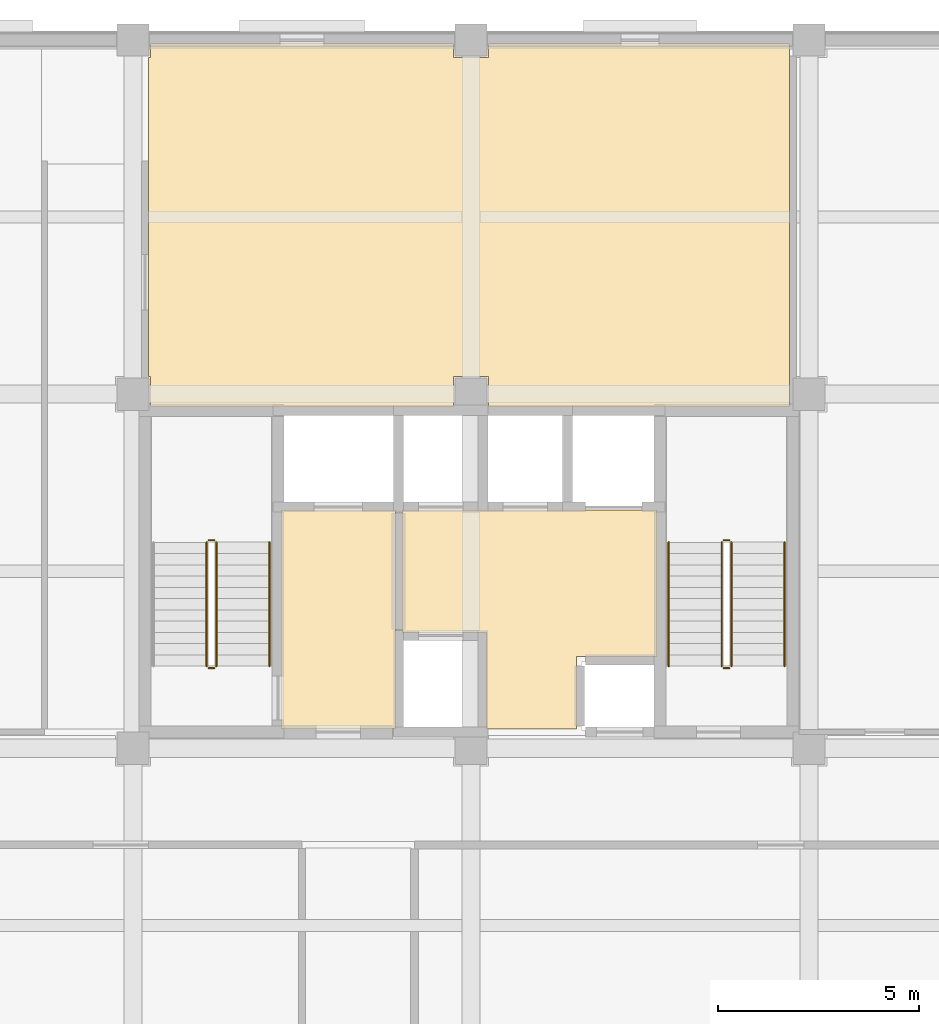
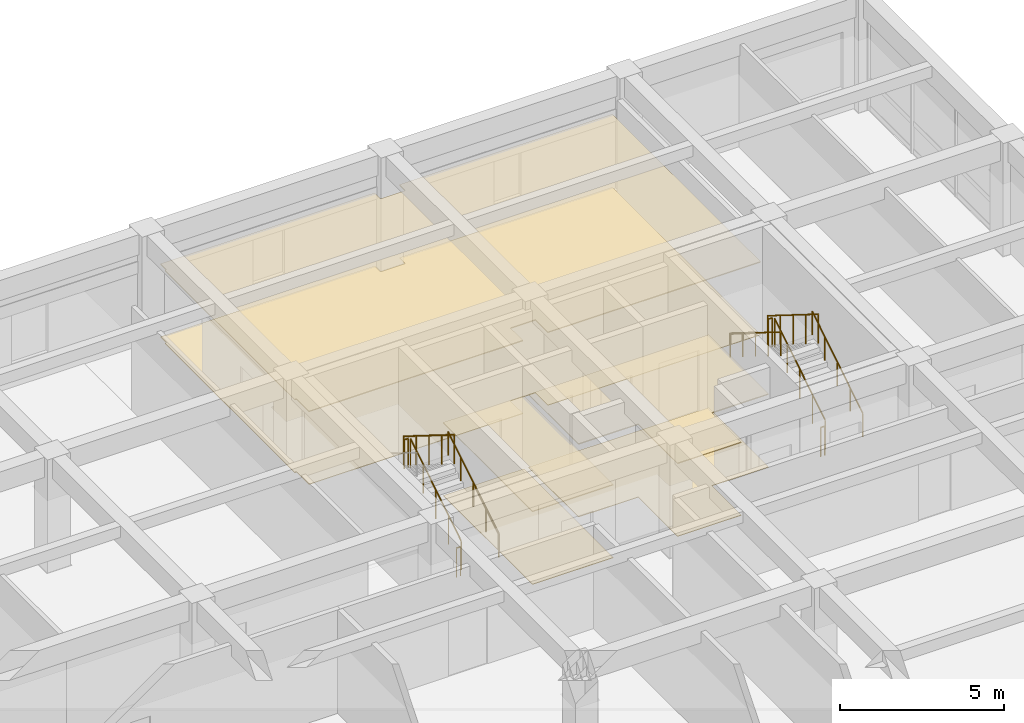
# One storey, part 56 of 57: 11 railings, 6 coverings.
"""IFC4 building model written with IfcOpenShell, lengths in metres."""

from ifc_helpers import new_model, si_unit, direction, frame, origin, origin_2d, place, context, subcontext, project, spatial, polyline, circle, outline, extrude, material, layer, layer_set, type_object, element, save


model = new_model("IFC4")

# Units and contexts
model_context = context("Model", 3, precision=1e-05, world=origin(), true_north=direction((0.0, 1.0)))
body_context = subcontext(model_context, "Body", "Model", "MODEL_VIEW")
ifc_project = project(units=[si_unit("LENGTHUNIT", "METRE"), si_unit("AREAUNIT", "SQUARE_METRE"), si_unit("VOLUMEUNIT", "CUBIC_METRE"), si_unit("PLANEANGLEUNIT", "RADIAN"), si_unit("MASSUNIT", "GRAM", prefix="KILO")], contexts=[model_context])

# Site, building, storey
site_placement = place(None, origin())
site = spatial("IfcSite", under=ifc_project, at=site_placement, CompositionType="ELEMENT")
building_placement = place(site_placement, origin())
building = spatial("IfcBuilding", under=site, at=building_placement, Name="Kemercrest Conservatory and Botanical Centre", CompositionType="ELEMENT")
storey_placement = place(building_placement, frame((0.0, 0.0, 4.800048828125)))
storey = spatial("IfcBuildingStorey", under=building, at=storey_placement, Name="L01", CompositionType="ELEMENT", Elevation=4.800048828125)

# Coverings
ifc_material_1 = material(Name="Perforated acoustic gypsum and mineral-fibre suspended ceiling", Category="gypsum")
ifc_layer_1 = layer(ifc_material_1, 0.034912109375)
ifc_layer_set_1 = layer_set([ifc_layer_1], Name="Perforated acoustic gypsum and mineral-fibre suspended ceiling")
covering_type_1 = type_object("IfcCoveringType", Name="CV-CLG035", PredefinedType="CEILING", material=ifc_layer_set_1)
covering_1_placement = place(storey_placement, frame((0.0, 0.0, 2.699951171875)))
element("IfcCovering", 1, at=covering_1_placement, inside=storey, type_object=covering_type_1, Name="Firefighting Lobby suspended acoustic ceiling", PredefinedType="CEILING", context=body_context, shape_type="SweptSolid", body=[
    extrude(outline(polyline([(154.47998046875, 105.280029296875), (157.320068359375, 105.280029296875), (157.320068359375, 110.719970703125), (154.47998046875, 110.719970703125), (154.47998046875, 105.280029296875)])), origin(), (0.0, 0.0, 1.0), 0.034912109375),
])
covering_2_placement = place(storey_placement, frame((0.0, 0.0, 2.699951171875)))
element("IfcCovering", 2, at=covering_2_placement, inside=storey, type_object=covering_type_1, Name="Tower Lift Lobby suspended acoustic ceiling", PredefinedType="CEILING", context=body_context, shape_type="SweptSolid", body=[
    extrude(outline(polyline([(159.580078125, 107.679931640625), (159.580078125, 105.280029296875), (161.820068359375, 105.280029296875), (161.820068359375, 107.080078125), (163.820068359375, 107.080078125), (163.820068359375, 110.719970703125), (157.47998046875, 110.719970703125), (157.47998046875, 107.679931640625), (159.580078125, 107.679931640625)])), origin(), (0.0, 0.0, 1.0), 0.034912109375),
])
covering_3_placement = place(storey_placement, frame((0.0, 0.0, 2.699951171875)))
element("IfcCovering", 3, at=covering_3_placement, inside=storey, type_object=covering_type_1, Name="Reagent Preparation Laboratory suspended acoustic ceiling", PredefinedType="CEILING", context=body_context, shape_type="SweptSolid", body=[
    extrude(outline(polyline([(159.639892578125, 113.280029296875), (167.1201171875, 113.280029296875), (167.1201171875, 122.320068359375), (159.639892578125, 122.320068359375), (159.639892578125, 121.9599609375), (158.760009765625, 121.9599609375), (158.760009765625, 122.320068359375), (151.239990234375, 122.320068359375), (151.239990234375, 121.9599609375), (151.179931640625, 121.9599609375), (151.179931640625, 114.0400390625), (151.239990234375, 114.0400390625), (151.239990234375, 113.280029296875), (158.760009765625, 113.280029296875), (158.760009765625, 114.0400390625), (159.639892578125, 114.0400390625), (159.639892578125, 113.280029296875)])), origin(), (0.0, 0.0, 1.0), 0.034912109375),
])
ifc_material_2 = material(Name="Polished limestone terrazzo and seamless laboratory epoxy flooring", Category="masonry")
ifc_layer_2 = layer(ifc_material_2, 0.02001953125)
ifc_layer_set_2 = layer_set([ifc_layer_2], Name="Polished limestone terrazzo and seamless laboratory epoxy flooring")
covering_type_2 = type_object("IfcCoveringType", Name="CV-FLR020", PredefinedType="FLOORING", material=ifc_layer_set_2)
covering_4_placement = place(storey_placement, origin())
element("IfcCovering", 4, at=covering_4_placement, inside=storey, type_object=covering_type_2, Name="Firefighting Lobby floor finish", PredefinedType="FLOORING", context=body_context, shape_type="SweptSolid", body=[
    extrude(outline(polyline([(154.47998046875, 105.280029296875), (157.320068359375, 105.280029296875), (157.320068359375, 110.719970703125), (154.47998046875, 110.719970703125), (154.47998046875, 105.280029296875)])), origin(), (0.0, 0.0, 1.0), 0.02001953125),
])
covering_5_placement = place(storey_placement, origin())
element("IfcCovering", 5, at=covering_5_placement, inside=storey, type_object=covering_type_2, Name="Tower Lift Lobby floor finish", PredefinedType="FLOORING", context=body_context, shape_type="SweptSolid", body=[
    extrude(outline(polyline([(159.580078125, 107.679931640625), (159.580078125, 105.280029296875), (161.820068359375, 105.280029296875), (161.820068359375, 107.080078125), (163.820068359375, 107.080078125), (163.820068359375, 110.719970703125), (157.47998046875, 110.719970703125), (157.47998046875, 107.679931640625), (159.580078125, 107.679931640625)])), origin(), (0.0, 0.0, 1.0), 0.02001953125),
])
covering_6_placement = place(storey_placement, origin())
element("IfcCovering", 6, at=covering_6_placement, inside=storey, type_object=covering_type_2, Name="Reagent Preparation Laboratory floor finish", PredefinedType="FLOORING", context=body_context, shape_type="SweptSolid", body=[
    extrude(outline(polyline([(159.639892578125, 113.280029296875), (167.1201171875, 113.280029296875), (167.1201171875, 122.320068359375), (159.639892578125, 122.320068359375), (159.639892578125, 121.9599609375), (158.760009765625, 121.9599609375), (158.760009765625, 122.320068359375), (151.239990234375, 122.320068359375), (151.239990234375, 121.9599609375), (151.179931640625, 121.9599609375), (151.179931640625, 114.0400390625), (151.239990234375, 114.0400390625), (151.239990234375, 113.280029296875), (158.760009765625, 113.280029296875), (158.760009765625, 114.0400390625), (159.639892578125, 114.0400390625), (159.639892578125, 113.280029296875)])), origin(), (0.0, 0.0, 1.0), 0.02001953125),
])

# Railings
ifc_material_3 = material(Name="Painted galvanized steel tubular stair guardrail", Category="steel")
railing_type_1 = type_object("IfcRailingType", Name="GR-STR110", PredefinedType="GUARDRAIL", material=ifc_material_3)
railing_1_placement = place(storey_placement, frame((152.8701171875, 106.840087890625, 0.175048828125)))
element("IfcRailing", 7, at=railing_1_placement, inside=storey, type_object=railing_type_1, Name="L01 ST-V4A stair guard 1", PredefinedType="GUARDRAIL", context=body_context, shape_type="SweptSolid", body=[
    extrude(circle(Radius=0.02392578125, at=origin_2d()), frame((0.0, 0.0, 1.076171875), z_axis=(0.0, 0.848009633417, 0.529980812513), x_axis=(-1.0, 0.0, 0.0)), (0.0, 0.0, 1.0), 3.6318359375),
    extrude(circle(Radius=0.02099609375, at=origin_2d()), origin(), (0.0, 0.0, 1.0), 1.052001953125),
    extrude(circle(Radius=0.02099609375, at=origin_2d()), frame((0.0, 0.77001953125, 0.481201171875)), (0.0, 0.0, 1.0), 1.052001953125),
    extrude(circle(Radius=0.02099609375, at=origin_2d()), frame((0.0, 1.5400390625, 0.96240234375)), (0.0, 0.0, 1.0), 1.052001953125),
    extrude(circle(Radius=0.02099609375, at=origin_2d()), frame((0.0, 2.309814453125, 1.443603515625)), (0.0, 0.0, 1.0), 1.052001953125),
    extrude(circle(Radius=0.02099609375, at=origin_2d()), frame((0.0, 3.079833984375, 1.9248046875)), (0.0, 0.0, 1.0), 1.052001953125),
])
railing_2_placement = place(storey_placement, frame((152.820068359375, 109.969970703125, 2.099853515625)))
element("IfcRailing", 8, at=railing_2_placement, inside=storey, type_object=railing_type_1, Name="L01 ST-V4A stair guard 2", PredefinedType="GUARDRAIL", context=body_context, shape_type="SweptSolid", body=[
    extrude(circle(Radius=0.02392578125, at=origin_2d()), frame((0.0, 0.0, 1.076171875), z_axis=(-1.0, 0.0, 0.0), x_axis=(0.0, -1.0, 0.0)), (0.0, 0.0, 1.0), 0.14013671875),
    extrude(circle(Radius=0.02099609375, at=origin_2d()), origin(), (0.0, 0.0, 1.0), 1.052001953125),
    extrude(circle(Radius=0.02099609375, at=origin_2d()), frame((-0.14013671875, 0.0, 0.0)), (0.0, 0.0, 1.0), 1.052001953125),
])
railing_3_placement = place(storey_placement, frame((152.6298828125, 109.919921875, 2.27490234375)))
element("IfcRailing", 9, at=railing_3_placement, inside=storey, type_object=railing_type_1, Name="L01 ST-V4A stair guard 3", PredefinedType="GUARDRAIL", context=body_context, shape_type="SweptSolid", body=[
    extrude(circle(Radius=0.02392578125, at=origin_2d()), frame((0.0, 0.0, 1.076171875), z_axis=(0.0, -0.847979421464, 0.530029150871), x_axis=(1.0, 0.0, 0.0)), (0.0, 0.0, 1.0), 3.632080078125),
    extrude(circle(Radius=0.02099609375, at=origin_2d()), origin(), (0.0, 0.0, 1.0), 1.052001953125),
    extrude(circle(Radius=0.02099609375, at=origin_2d()), frame((0.0, -0.77001953125, 0.481201171875)), (0.0, 0.0, 1.0), 1.052001953125),
    extrude(circle(Radius=0.02099609375, at=origin_2d()), frame((0.0, -1.5400390625, 0.96240234375)), (0.0, 0.0, 1.0), 1.052001953125),
    extrude(circle(Radius=0.02099609375, at=origin_2d()), frame((0.0, -2.309814453125, 1.44384765625)), (0.0, 0.0, 1.0), 1.052001953125),
    extrude(circle(Radius=0.02099609375, at=origin_2d()), frame((0.0, -3.079833984375, 1.925048828125)), (0.0, 0.0, 1.0), 1.052001953125),
])
railing_4_placement = place(storey_placement, frame((152.820068359375, 106.7900390625, 0.0)))
element("IfcRailing", 10, at=railing_4_placement, inside=storey, type_object=railing_type_1, Name="L01 ST-V4A stair guard 4", PredefinedType="GUARDRAIL", context=body_context, shape_type="SweptSolid", body=[
    extrude(circle(Radius=0.02392578125, at=origin_2d()), frame((0.0, 0.0, 1.076171875), z_axis=(-1.0, 0.0, 0.0), x_axis=(0.0, -1.0, 0.0)), (0.0, 0.0, 1.0), 0.14013671875),
    extrude(circle(Radius=0.02099609375, at=origin_2d()), origin(), (0.0, 0.0, 1.0), 1.052001953125),
    extrude(circle(Radius=0.02099609375, at=origin_2d()), frame((-0.14013671875, 0.0, 0.0)), (0.0, 0.0, 1.0), 1.052001953125),
])
railing_5_placement = place(storey_placement, frame((165.669921875, 106.840087890625, 0.175048828125)))
element("IfcRailing", 11, at=railing_5_placement, inside=storey, type_object=railing_type_1, Name="L01 ST-V4B stair guard 1", PredefinedType="GUARDRAIL", context=body_context, shape_type="SweptSolid", body=[
    extrude(circle(Radius=0.02392578125, at=origin_2d()), frame((0.0, 0.0, 1.076171875), z_axis=(0.0, 0.848009633417, 0.529980812513), x_axis=(-1.0, 0.0, 0.0)), (0.0, 0.0, 1.0), 3.6318359375),
    extrude(circle(Radius=0.02099609375, at=origin_2d()), origin(), (0.0, 0.0, 1.0), 1.052001953125),
    extrude(circle(Radius=0.02099609375, at=origin_2d()), frame((0.0, 0.77001953125, 0.481201171875)), (0.0, 0.0, 1.0), 1.052001953125),
    extrude(circle(Radius=0.02099609375, at=origin_2d()), frame((0.0, 1.5400390625, 0.96240234375)), (0.0, 0.0, 1.0), 1.052001953125),
    extrude(circle(Radius=0.02099609375, at=origin_2d()), frame((0.0, 2.309814453125, 1.443603515625)), (0.0, 0.0, 1.0), 1.052001953125),
    extrude(circle(Radius=0.02099609375, at=origin_2d()), frame((0.0, 3.079833984375, 1.9248046875)), (0.0, 0.0, 1.0), 1.052001953125),
])
railing_6_placement = place(storey_placement, frame((165.6201171875, 109.969970703125, 2.099853515625)))
element("IfcRailing", 12, at=railing_6_placement, inside=storey, type_object=railing_type_1, Name="L01 ST-V4B stair guard 2", PredefinedType="GUARDRAIL", context=body_context, shape_type="SweptSolid", body=[
    extrude(circle(Radius=0.02392578125, at=origin_2d()), frame((0.0, 0.0, 1.076171875), z_axis=(-1.0, 0.0, 0.0), x_axis=(0.0, -1.0, 0.0)), (0.0, 0.0, 1.0), 0.14013671875),
    extrude(circle(Radius=0.02099609375, at=origin_2d()), origin(), (0.0, 0.0, 1.0), 1.052001953125),
    extrude(circle(Radius=0.02099609375, at=origin_2d()), frame((-0.14013671875, 0.0, 0.0)), (0.0, 0.0, 1.0), 1.052001953125),
])
railing_7_placement = place(storey_placement, frame((165.429931640625, 109.919921875, 2.27490234375)))
element("IfcRailing", 13, at=railing_7_placement, inside=storey, type_object=railing_type_1, Name="L01 ST-V4B stair guard 3", PredefinedType="GUARDRAIL", context=body_context, shape_type="SweptSolid", body=[
    extrude(circle(Radius=0.02392578125, at=origin_2d()), frame((0.0, 0.0, 1.076171875), z_axis=(0.0, -0.847979421464, 0.530029150871), x_axis=(1.0, 0.0, 0.0)), (0.0, 0.0, 1.0), 3.632080078125),
    extrude(circle(Radius=0.02099609375, at=origin_2d()), origin(), (0.0, 0.0, 1.0), 1.052001953125),
    extrude(circle(Radius=0.02099609375, at=origin_2d()), frame((0.0, -0.77001953125, 0.481201171875)), (0.0, 0.0, 1.0), 1.052001953125),
    extrude(circle(Radius=0.02099609375, at=origin_2d()), frame((0.0, -1.5400390625, 0.96240234375)), (0.0, 0.0, 1.0), 1.052001953125),
    extrude(circle(Radius=0.02099609375, at=origin_2d()), frame((0.0, -2.309814453125, 1.44384765625)), (0.0, 0.0, 1.0), 1.052001953125),
    extrude(circle(Radius=0.02099609375, at=origin_2d()), frame((0.0, -3.079833984375, 1.925048828125)), (0.0, 0.0, 1.0), 1.052001953125),
])
railing_8_placement = place(storey_placement, frame((165.6201171875, 106.7900390625, 0.0)))
element("IfcRailing", 14, at=railing_8_placement, inside=storey, type_object=railing_type_1, Name="L01 ST-V4B stair guard 4", PredefinedType="GUARDRAIL", context=body_context, shape_type="SweptSolid", body=[
    extrude(circle(Radius=0.02392578125, at=origin_2d()), frame((0.0, 0.0, 1.076171875), z_axis=(-1.0, 0.0, 0.0), x_axis=(0.0, -1.0, 0.0)), (0.0, 0.0, 1.0), 0.14013671875),
    extrude(circle(Radius=0.02099609375, at=origin_2d()), origin(), (0.0, 0.0, 1.0), 1.052001953125),
    extrude(circle(Radius=0.02099609375, at=origin_2d()), frame((-0.14013671875, 0.0, 0.0)), (0.0, 0.0, 1.0), 1.052001953125),
])
ifc_material_4 = material(Name="Brushed stainless steel wall-mounted handrail", Category="steel")
railing_type_2 = type_object("IfcRailingType", Name="HR-STR090", PredefinedType="HANDRAIL", material=ifc_material_4)
for number, where, name in (
    (15, (154.18994140625, 106.840087890625, 0.175048828125), "L01 ST-V4A stair handrail 1"),
    (16, (166.989990234375, 106.840087890625, 0.175048828125), "L01 ST-V4B stair handrail 1"),
):
    element("IfcRailing", number, at=place(storey_placement, frame(where)), inside=storey, type_object=railing_type_2, Name=name, PredefinedType="HANDRAIL", context=body_context, shape_type="SweptSolid", body=[
        extrude(circle(Radius=0.02392578125, at=origin_2d()), frame((0.0, 0.0, 0.8759765625), z_axis=(0.0, 0.848009633417, 0.529980812513), x_axis=(-1.0, 0.0, 0.0)), (0.0, 0.0, 1.0), 3.6318359375),
        extrude(circle(Radius=0.02099609375, at=origin_2d()), origin(), (0.0, 0.0, 1.0), 0.851806640625),
        extrude(circle(Radius=0.02099609375, at=origin_2d()), frame((0.0, 0.77001953125, 0.481201171875)), (0.0, 0.0, 1.0), 0.851806640625),
        extrude(circle(Radius=0.02099609375, at=origin_2d()), frame((0.0, 1.5400390625, 0.96240234375)), (0.0, 0.0, 1.0), 0.851806640625),
        extrude(circle(Radius=0.02099609375, at=origin_2d()), frame((0.0, 2.309814453125, 1.443603515625)), (0.0, 0.0, 1.0), 0.851806640625),
        extrude(circle(Radius=0.02099609375, at=origin_2d()), frame((0.0, 3.079833984375, 1.9248046875)), (0.0, 0.0, 1.0), 0.851806640625),
    ])
railing_9_placement = place(storey_placement, frame((164.110107421875, 109.919921875, 2.27490234375)))
element("IfcRailing", 17, at=railing_9_placement, inside=storey, type_object=railing_type_2, Name="L01 ST-V4B stair handrail 2", PredefinedType="HANDRAIL", context=body_context, shape_type="SweptSolid", body=[
    extrude(circle(Radius=0.02392578125, at=origin_2d()), frame((0.0, 0.0, 0.8759765625), z_axis=(0.0, -0.847979421464, 0.530029150871), x_axis=(1.0, 0.0, 0.0)), (0.0, 0.0, 1.0), 3.632080078125),
    extrude(circle(Radius=0.02099609375, at=origin_2d()), origin(), (0.0, 0.0, 1.0), 0.851806640625),
    extrude(circle(Radius=0.02099609375, at=origin_2d()), frame((0.0, -0.77001953125, 0.481201171875)), (0.0, 0.0, 1.0), 0.851806640625),
    extrude(circle(Radius=0.02099609375, at=origin_2d()), frame((0.0, -1.5400390625, 0.96240234375)), (0.0, 0.0, 1.0), 0.851806640625),
    extrude(circle(Radius=0.02099609375, at=origin_2d()), frame((0.0, -2.309814453125, 1.44384765625)), (0.0, 0.0, 1.0), 0.851806640625),
    extrude(circle(Radius=0.02099609375, at=origin_2d()), frame((0.0, -3.079833984375, 1.925048828125)), (0.0, 0.0, 1.0), 0.851806640625),
])

save(model, "model.ifc")
